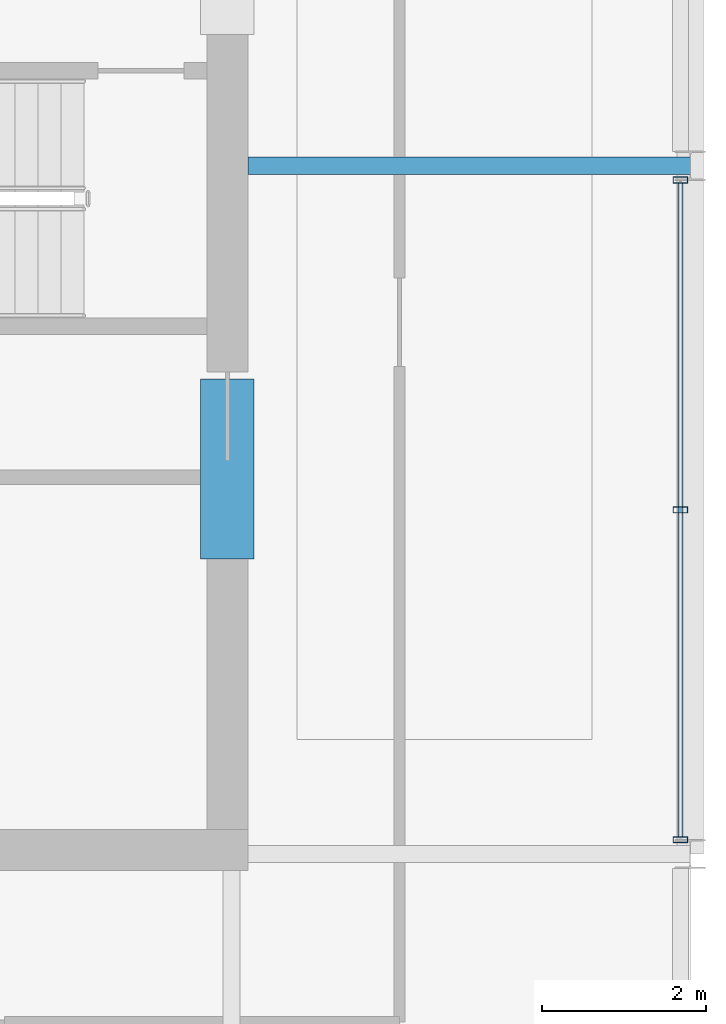
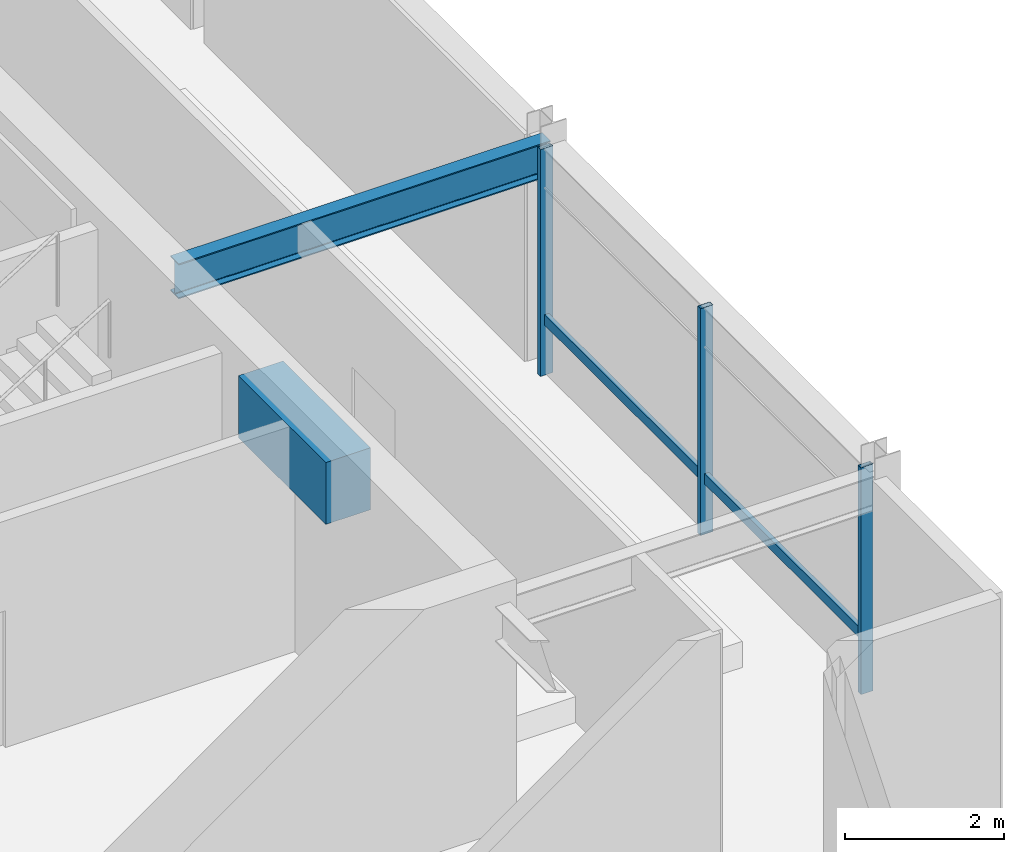
# One storey, part 6 of 12: 4 members, 2 beams, 1 element without a shape of its own.
"""IFC4 building model written with IfcOpenShell, lengths in metres."""

import ifcopenshell
import ifcopenshell.guid

model = None  # the IFC model being written
_history = None  # IfcOwnerHistory: only IFC2X3 demands one
_inside = {}  # id of a spatial element -> (the spatial element, [elements in it])
_under = {}  # id of a project, library or spatial element -> (it, [spatial elements below it])
_declared = {}  # id of a project -> (the project, [libraries it declares])
_typed = {}  # id of a type object -> (the type object, [elements of that type])
_made_of = {}  # id of a material, layer set ... -> (it, [elements and type objects made of it])


def new_model(schema):
    """Start an empty IFC model of exactly this schema.

    Asked for "IFC4X3", IfcOpenShell would pick the latest addendum, in which some entities
    have other attributes; the version numbers below select the first issue.
    IFC2X3 requires an IfcOwnerHistory on every rooted entity: one is made here for all.
    """
    global model, _history
    if schema == "IFC4X3":
        model = ifcopenshell.file(schema_version=(4, 3, 0, 0))
    else:
        model = ifcopenshell.file(schema=schema)
    _inside.clear()
    _under.clear()
    _declared.clear()
    _typed.clear()
    _made_of.clear()
    _history = None
    if model.schema == "IFC2X3":
        org = make("IfcOrganization", Name="unknown")
        user = make(
            "IfcPersonAndOrganization",
            ThePerson=make("IfcPerson", FamilyName="unknown"),
            TheOrganization=org,
        )
        app = make(
            "IfcApplication",
            ApplicationDeveloper=org,
            Version="unknown",
            ApplicationFullName="unknown",
            ApplicationIdentifier="unknown",
        )
        _history = make(
            "IfcOwnerHistory",
            OwningUser=user,
            OwningApplication=app,
            ChangeAction="ADDED",
            CreationDate=0,
        )
    return model


def make(cls, **values):
    """One entity of the class cls with the attributes given. An attribute that is None is left unset."""
    return model.create_entity(
        cls, **{name: value for name, value in values.items() if value is not None}
    )


def rooted(cls, **values):
    """An entity with a GlobalId (a new one), such as an element, a storey or a relation."""
    return make(cls, GlobalId=ifcopenshell.guid.new(), OwnerHistory=_history, **values)


def si_unit(unit_type, name, prefix=None):
    """IfcSIUnit, for example si_unit("LENGTHUNIT", "METRE", prefix="MILLI")."""
    return make("IfcSIUnit", UnitType=unit_type, Prefix=prefix, Name=name)


def assignment(units):
    """IfcUnitAssignment: the units of a project."""
    return None if units is None else make("IfcUnitAssignment", Units=units)


def point(xyz):
    """IfcCartesianPoint."""
    return None if xyz is None else make("IfcCartesianPoint", Coordinates=xyz)


def direction(xyz):
    """IfcDirection."""
    return None if xyz is None else make("IfcDirection", DirectionRatios=xyz)


def frame(location, z_axis=None, x_axis=None):
    """IfcAxis2Placement3D, a coordinate frame: its origin and axes. An axis left out is left unset."""
    return make(
        "IfcAxis2Placement3D",
        Location=point(location),
        Axis=direction(z_axis),
        RefDirection=direction(x_axis),
    )


def frame_2d(location, x_axis=None):
    """IfcAxis2Placement2D, a coordinate frame in the plane: its origin and x axis."""
    return make(
        "IfcAxis2Placement2D", Location=point(location), RefDirection=direction(x_axis)
    )


def origin():
    """The frame at (0, 0, 0) with its axes left unset."""
    return frame((0.0, 0.0, 0.0))


def origin_2d():
    """The frame at (0, 0) in the plane with its x axis left unset."""
    return frame_2d((0.0, 0.0))


def place(relative_to, where):
    """IfcLocalPlacement: puts the frame where relative to a parent placement (None: the world)."""
    return make(
        "IfcLocalPlacement", PlacementRelTo=relative_to, RelativePlacement=where
    )


def context(
    kind, dimensions, precision=None, world=None, true_north=None, identifier=None
):
    """IfcGeometricRepresentationContext, for example the 3D "Model" context."""
    return make(
        "IfcGeometricRepresentationContext",
        ContextIdentifier=identifier,
        ContextType=kind,
        CoordinateSpaceDimension=dimensions,
        Precision=precision,
        WorldCoordinateSystem=world,
        TrueNorth=true_north,
    )


def subcontext(parent, identifier, kind, view, scale=None):
    """IfcGeometricRepresentationSubContext, for example "Body" below "Model"."""
    return make(
        "IfcGeometricRepresentationSubContext",
        ContextIdentifier=identifier,
        ContextType=kind,
        ParentContext=parent,
        TargetScale=scale,
        TargetView=view,
    )


def project(units=None, contexts=None):
    """IfcProject with its units and contexts."""
    return rooted(
        "IfcProject",
        Name="project",
        RepresentationContexts=contexts,
        UnitsInContext=assignment(units),
    )


def spatial(cls, under=None, at=None, **own):
    """A site, building, storey or space (cls), placed at a placement, below another one or the project."""
    s = rooted(cls, ObjectPlacement=at, **own)
    if under is not None:
        _under.setdefault(under.id(), (under, []))[1].append(s)
    return s


def profile(cls, at=None, kind="AREA", **sizes):
    """A parametric profile (cls). Its sizes go by their IFC names, for example OverallWidth=200.0."""
    return make(cls, ProfileType=kind, Position=at, **sizes)


def rectangle(**sizes):
    """IfcRectangleProfileDef."""
    return profile("IfcRectangleProfileDef", **sizes)


def hollow_rectangle(**sizes):
    """IfcRectangleHollowProfileDef."""
    return profile("IfcRectangleHollowProfileDef", **sizes)


def i_section(**sizes):
    """IfcIShapeProfileDef."""
    return profile("IfcIShapeProfileDef", **sizes)


def extrude(swept, where, along, depth):
    """IfcExtrudedAreaSolid: the profile swept, set in the frame where, extruded along a direction by depth."""
    return make(
        "IfcExtrudedAreaSolid",
        SweptArea=swept,
        Position=where,
        ExtrudedDirection=direction(along),
        Depth=depth,
    )


def shape(context_of_items, identifier, shape_type, items):
    """IfcShapeRepresentation: the items that make up one representation, for example the "Body"."""
    return make(
        "IfcShapeRepresentation",
        ContextOfItems=context_of_items,
        RepresentationIdentifier=identifier,
        RepresentationType=shape_type,
        Items=items,
    )


def material(Name=None, Category=None):
    """IfcMaterial."""
    return make("IfcMaterial", Name=Name, Category=Category)


def layer(
    of_material, thickness, ventilated=None, Name=None, Category=None, Priority=None
):
    """IfcMaterialLayer: one layer of a wall or slab, of a material (None: an air gap)."""
    return make(
        "IfcMaterialLayer",
        Material=of_material,
        LayerThickness=thickness,
        IsVentilated=ventilated,
        Name=Name,
        Category=Category,
        Priority=Priority,
    )


def layer_set(layers, Name=None):
    """IfcMaterialLayerSet."""
    return make("IfcMaterialLayerSet", MaterialLayers=layers, LayerSetName=Name)


def material_profile(
    of_material, cross_section, Name=None, Category=None, Priority=None
):
    """IfcMaterialProfile: a cross section and its material."""
    return make(
        "IfcMaterialProfile",
        Name=Name,
        Material=of_material,
        Profile=cross_section,
        Priority=Priority,
        Category=Category,
    )


def profile_set(profiles, Name=None, composite=None):
    """IfcMaterialProfileSet."""
    return make(
        "IfcMaterialProfileSet",
        Name=Name,
        MaterialProfiles=profiles,
        CompositeProfile=composite,
    )


def made_of(thing, what):
    """Note that an element or type object is made of a material, layer set ...; save() writes the relation."""
    if what is not None:
        _made_of.setdefault(what.id(), (what, []))[1].append(thing)
    return thing


def type_object(cls, material=None, **own):
    """A type object (cls), such as IfcWallType, which elements share."""
    return made_of(rooted(cls, **own), material)


def element(
    cls,
    number,
    at=None,
    inside=None,
    cuts=None,
    type_object=None,
    material=None,
    context=None,
    identifier="Body",
    shape_type=None,
    held_by="IfcProductDefinitionShape",
    body=None,
    shapes=None,
    **own,
):
    """One element of the class cls, such as IfcWall. Its Tag is "e" and its number.

    at: its placement. inside: the storey or other place that contains it. cuts: it is an
    opening in that element (IfcRelVoidsElement). A single representation is given by context,
    identifier, shape_type and body (its items); several are given by shapes. held_by: the class
    of the entity that holds the representations. save() writes the other relations.
    """
    e = rooted(cls, Tag="e%d" % number, ObjectPlacement=at, **own)
    if body is not None:
        shapes = [shape(context, identifier, shape_type, body)]
    if shapes is not None:
        e.Representation = make(held_by, Representations=shapes)
    if inside is not None:
        _inside.setdefault(inside.id(), (inside, []))[1].append(e)
    if cuts is not None:
        rooted(
            "IfcRelVoidsElement", RelatingBuildingElement=cuts, RelatedOpeningElement=e
        )
    if type_object is not None:
        _typed.setdefault(type_object.id(), (type_object, []))[1].append(e)
    return made_of(e, material)


def aggregate(whole, parts):
    """IfcRelAggregates: a whole, such as a stair, and the parts it consists of."""
    return rooted("IfcRelAggregates", RelatingObject=whole, RelatedObjects=parts)


def save(model, path):
    """Write the relations noted so far, then the file.

    IfcRelAggregates (storeys below a building ...), IfcRelContainedInSpatialStructure (elements
    in a storey), IfcRelDefinesByType, IfcRelAssociatesMaterial and IfcRelDeclares: one each for
    every whole, place, type object, material and project.
    """
    for whole, parts in _under.values():
        aggregate(whole, parts)
    for where, things in _inside.values():
        rooted(
            "IfcRelContainedInSpatialStructure",
            RelatedElements=things,
            RelatingStructure=where,
        )
    for kind, things in _typed.values():
        rooted("IfcRelDefinesByType", RelatedObjects=things, RelatingType=kind)
    for what, things in _made_of.values():
        rooted("IfcRelAssociatesMaterial", RelatedObjects=things, RelatingMaterial=what)
    for by, libraries in _declared.values():
        rooted("IfcRelDeclares", RelatingContext=by, RelatedDefinitions=libraries)
    model.write(path)


model = new_model("IFC4")

# Units and contexts
model_context = context("Model", 3, precision=1e-05, world=origin(), true_north=direction((0.0, 1.0)))
body_context = subcontext(model_context, "Body", "Model", "MODEL_VIEW")
ifc_project = project(units=[si_unit("LENGTHUNIT", "METRE"), si_unit("AREAUNIT", "SQUARE_METRE"), si_unit("VOLUMEUNIT", "CUBIC_METRE"), si_unit("PLANEANGLEUNIT", "RADIAN"), si_unit("MASSUNIT", "GRAM", prefix="KILO")], contexts=[model_context])

# Site, building, storey
site_placement = place(None, origin())
site = spatial("IfcSite", under=ifc_project, at=site_placement, CompositionType="ELEMENT")
building_placement = place(site_placement, origin())
building = spatial("IfcBuilding", under=site, at=building_placement, Name="Drelvath Grand Hotel", CompositionType="ELEMENT")
storey_placement = place(building_placement, frame((0.0, 0.0, 319.39990234375)))
storey = spatial("IfcBuildingStorey", under=building, at=storey_placement, Name="L83", CompositionType="ELEMENT", Elevation=319.39990234375)

# Beam
ifc_material_1 = material(Name="Concrete f'c 55 MPa", Category="concrete")
ifc_material_profile_1 = material_profile(ifc_material_1, rectangle(XDim=0.64990234375, YDim=0.949951171875, at=origin_2d()), Name="CB650X950")
ifc_profile_set_1 = profile_set([ifc_material_profile_1], Name="Concrete f'c 55 MPa")
beam_type_1 = type_object("IfcBeamType", Name="Core Coupling Lintel CB650X950", PredefinedType="LINTEL", material=ifc_profile_set_1)
beam_1_placement = place(storey_placement, frame((8.35009765625, 22.199951171875, 3.005126953125), z_axis=(0.0, 1.0, 0.0), x_axis=(-1.0, 0.0, 0.0)))
element("IfcBeam", 1, at=beam_1_placement, inside=storey, type_object=beam_type_1, Name="L83 Core Coupling Lintel ES", PredefinedType="LINTEL", context=body_context, shape_type="SweptSolid", body=[
    extrude(rectangle(XDim=0.64990234375, YDim=0.949951171875, at=origin_2d()), origin(), (0.0, 0.0, 1.0), 2.199951171875),
])

# Curtain wall, members
ifc_material_2 = material(Name="Pale-Metal Anodised Aluminium Crown Frame", Category="aluminium")
ifc_layer = layer(ifc_material_2, 0.199951171875)
ifc_layer_set = layer_set([ifc_layer], Name="Pale-Metal Anodised Aluminium Crown Frame")
curtain_wall_type = type_object("IfcCurtainWallType", Name="Stick Curtain Wall CW-06 Pale-Metal Crown Clerestory", PredefinedType="NOTDEFINED", material=ifc_layer_set)
curtain_wall_placement = place(storey_placement, origin())
curtain_wall = element("IfcCurtainWall", 2, at=curtain_wall_placement, inside=storey, type_object=curtain_wall_type, Name="L83 CW-06 Curtain Wall CW06-L83-E", PredefinedType="NOTDEFINED")
ifc_material_profile_2 = material_profile(ifc_material_2, hollow_rectangle(XDim=0.06494140625, YDim=0.159912109375, WallThickness=0.00390625, at=origin_2d()), Name="HSS160X65X4")
ifc_profile_set_2 = profile_set([ifc_material_profile_2], Name="Pale-Metal Anodised Aluminium Crown Frame")
member_type_1 = type_object("IfcMemberType", Name="Curtain Wall Horizontal Transom CW-06 HSS160X65X4", PredefinedType="USERDEFINED", material=ifc_profile_set_2)
member_1_placement = place(storey_placement, frame((13.8798828125, 26.785888671875, 0.85009765625), z_axis=(0.0, -1.0, 0.0), x_axis=(1.0, 0.0, 0.0)))
member_1 = element("IfcMember", 3, at=member_1_placement, type_object=member_type_1, Name="CW06-L83-E Sill Transom", ObjectType="TRANSOM", PredefinedType="USERDEFINED", context=body_context, shape_type="SweptSolid", body=[
    extrude(hollow_rectangle(XDim=0.06494140625, YDim=0.159912109375, WallThickness=0.00390625, at=origin_2d()), origin(), (0.0, 0.0, 1.0), 7.971923828125),
])
ifc_material_profile_3 = material_profile(ifc_material_2, hollow_rectangle(XDim=0.074951171875, YDim=0.179931640625, WallThickness=0.0048828125, at=origin_2d()), Name="HSS180X75X5")
ifc_profile_set_3 = profile_set([ifc_material_profile_3], Name="Pale-Metal Anodised Aluminium Crown Frame")
member_type_2 = type_object("IfcMemberType", Name="Curtain Wall Vertical Mullion CW-06 HSS180X75X5", PredefinedType="MULLION", material=ifc_profile_set_3)
member_2_placement = place(storey_placement, frame((13.8798828125, 26.825927734375, 0.0), z_axis=(0.0, 0.0, 1.0), x_axis=(0.0, 1.0, 0.0)))
member_2 = element("IfcMember", 4, at=member_2_placement, type_object=member_type_2, Name="CW06-L83-E Mullion 1", PredefinedType="MULLION", context=body_context, shape_type="SweptSolid", body=[
    extrude(hollow_rectangle(XDim=0.074951171875, YDim=0.179931640625, WallThickness=0.0048828125, at=origin_2d()), origin(), (0.0, 0.0, 1.0), 3.47998046875),
])
member_3_placement = place(storey_placement, frame((13.8798828125, 22.800048828125, 0.0), z_axis=(0.0, 0.0, 1.0), x_axis=(0.0, 1.0, 0.0)))
member_3 = element("IfcMember", 5, at=member_3_placement, type_object=member_type_2, Name="CW06-L83-E Mullion 2", PredefinedType="MULLION", context=body_context, shape_type="SweptSolid", body=[
    extrude(hollow_rectangle(XDim=0.074951171875, YDim=0.179931640625, WallThickness=0.0048828125, at=origin_2d()), origin(), (0.0, 0.0, 1.0), 3.47998046875),
])
member_4_placement = place(storey_placement, frame((13.8798828125, 18.77392578125, 0.0), z_axis=(0.0, 0.0, 1.0), x_axis=(0.0, 1.0, 0.0)))
member_4 = element("IfcMember", 6, at=member_4_placement, type_object=member_type_2, Name="CW06-L83-E Mullion 3", PredefinedType="MULLION", context=body_context, shape_type="SweptSolid", body=[
    extrude(hollow_rectangle(XDim=0.074951171875, YDim=0.179931640625, WallThickness=0.0048828125, at=origin_2d()), origin(), (0.0, 0.0, 1.0), 3.47998046875),
])
aggregate(curtain_wall, [member_2, member_3, member_4, member_1])

# Beam
ifc_material_3 = material(Name="Steel ASTM A992 Gr 50", Category="steel")
ifc_material_profile_4 = material_profile(ifc_material_3, i_section(OverallWidth=0.210205078125, OverallDepth=0.53662109375, WebThickness=0.010986328125, FlangeThickness=0.017333984375, FilletRadius=0.01806640625, at=origin_2d()), Name="W21X68")
ifc_profile_set_4 = profile_set([ifc_material_profile_4], Name="Steel ASTM A992 Gr 50")
beam_type_2 = type_object("IfcBeamType", Name="Primary Floor Girder W21X68", PredefinedType="BEAM", material=ifc_profile_set_4)
beam_2_placement = place(storey_placement, frame((8.60009765625, 27.0, 3.211669921875), z_axis=(1.0, 0.0, 0.0), x_axis=(0.0, 1.0, 0.0)))
element("IfcBeam", 7, at=beam_2_placement, inside=storey, type_object=beam_type_2, Name="L83 Crown Drum Tie East E", PredefinedType="BEAM", context=body_context, shape_type="SweptSolid", body=[
    extrude(i_section(OverallWidth=0.210205078125, OverallDepth=0.53662109375, WebThickness=0.010986328125, FlangeThickness=0.017333984375, FilletRadius=0.01806640625, at=origin_2d()), origin(), (0.0, 0.0, 1.0), 5.39990234375),
])

save(model, "model.ifc")
